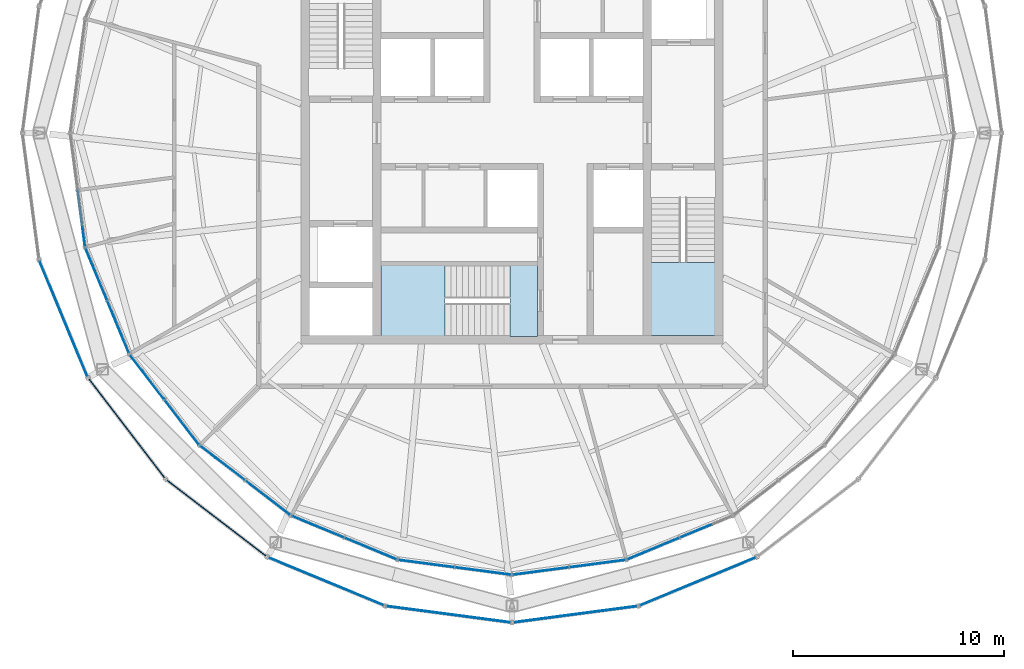
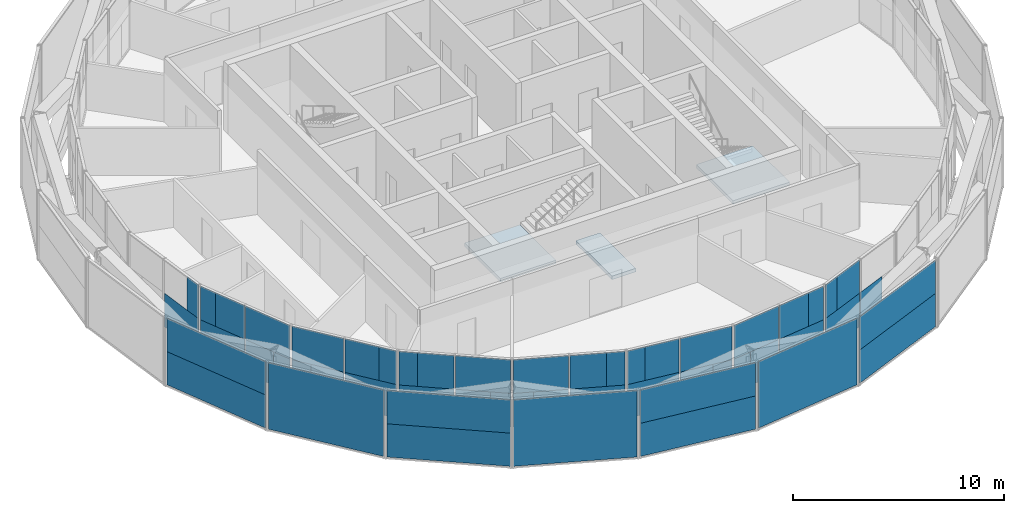
# One storey, part 10 of 17: 53 plates, 3 slabs, 17 elements without a shape of their own.
"""IFC4 building model written with IfcOpenShell, lengths in metres."""

from ifc_helpers import new_model, si_unit, direction, frame, origin, origin_2d, place, context, subcontext, project, spatial, polyline, rectangle, outline, extrude, material, layer, layer_set, type_object, element, aggregate, save


model = new_model("IFC4")

# Units and contexts
model_context = context("Model", 3, precision=1e-05, world=origin(), true_north=direction((0.0, 1.0)))
body_context = subcontext(model_context, "Body", "Model", "MODEL_VIEW")
ifc_project = project(units=[si_unit("LENGTHUNIT", "METRE"), si_unit("AREAUNIT", "SQUARE_METRE"), si_unit("VOLUMEUNIT", "CUBIC_METRE"), si_unit("PLANEANGLEUNIT", "RADIAN"), si_unit("MASSUNIT", "GRAM", prefix="KILO")], contexts=[model_context])

# Site, building, storey
site_placement = place(None, origin())
site = spatial("IfcSite", under=ifc_project, at=site_placement, CompositionType="ELEMENT")
building_placement = place(site_placement, origin())
building = spatial("IfcBuilding", under=site, at=building_placement, Name="Golbaran Civic Tower", CompositionType="ELEMENT")
storey_placement = place(building_placement, frame((0.0, 0.0, 280.0)))
storey = spatial("IfcBuildingStorey", under=building, at=storey_placement, Name="L68", CompositionType="ELEMENT", Elevation=280.0)

# Curtain wall, plate
ifc_material_1 = material(Name="Aluminium and glass", Category="aluminium")
curtain_wall_type_1 = type_object("IfcCurtainWallType", Name="INNER SKIN CURTAIN WALL EXECUTIVE", PredefinedType="NOTDEFINED", material=ifc_material_1)
curtain_wall_1_placement = place(storey_placement, origin())
curtain_wall_1 = element("IfcCurtainWall", 1, at=curtain_wall_1_placement, inside=storey, type_object=curtain_wall_type_1, Name="Inner skin L68 facet 13 CW2", ObjectType="INNER SKIN", PredefinedType="USERDEFINED")
ifc_material_2 = material(Name="Clear insulating glass", Category="glass")
ifc_layer_1 = layer(ifc_material_2, 0.031982421875, Name="Clear insulating glass")
ifc_layer_set_1 = layer_set([ifc_layer_1], Name="Clear insulating glass")
plate_type_1 = type_object("IfcPlateType", Name="INNER SKIN CURTAIN WALL EXECUTIVE GLAZED PANEL", PredefinedType="CURTAIN_PANEL", material=ifc_layer_set_1)
plate_1_placement = place(storey_placement, frame((-20.2900390625, -4.914306640625, 2.0), z_axis=(0.0, 0.0, 1.0), x_axis=(0.130526192237, -0.991444861372, 0.0)))
plate_1 = element("IfcPlate", 2, at=plate_1_placement, type_object=plate_type_1, Name="CW2 panel 2.1 part 3", PredefinedType="CURTAIN_PANEL", context=body_context, shape_type="SweptSolid", body=[
    extrude(rectangle(XDim=0.897705078125, YDim=0.031982421875, at=origin_2d()), origin(), (0.0, 0.0, 1.0), 1.93994140625),
])

# Curtain wall, plates
curtain_wall_2_placement = place(storey_placement, origin())
curtain_wall_2 = element("IfcCurtainWall", 3, at=curtain_wall_2_placement, inside=storey, type_object=curtain_wall_type_1, Name="Inner skin L68 facet 14 CW2", ObjectType="INNER SKIN", PredefinedType="USERDEFINED")
plate_2_placement = place(storey_placement, frame((-20.029052734375, -5.888671875, 2.0), z_axis=(0.0, 0.0, 1.0), x_axis=(0.382683432349, -0.923879532518, 0.0)))
plate_2 = element("IfcPlate", 4, at=plate_2_placement, type_object=plate_type_1, Name="CW2 panel 1.1 part 2", PredefinedType="CURTAIN_PANEL", context=body_context, shape_type="SweptSolid", body=[
    extrude(rectangle(XDim=0.89697265625, YDim=0.031982421875, at=origin_2d()), origin(), (0.0, 0.0, 1.0), 1.93994140625),
])
plate_3_placement = place(storey_placement, frame((-18.340576171875, -9.965087890625, 0.06005859375), z_axis=(0.0, 0.0, 1.0), x_axis=(0.382683432349, -0.923879532518, 0.0)))
plate_3 = element("IfcPlate", 5, at=plate_3_placement, type_object=plate_type_1, Name="CW2 panel 2.1 part 2", PredefinedType="CURTAIN_PANEL", context=body_context, shape_type="SweptSolid", body=[
    extrude(rectangle(XDim=0.9697265625, YDim=0.031982421875, at=origin_2d()), origin(), (0.0, 0.0, 1.0), 1.93994140625),
])

curtain_wall_3_placement = place(storey_placement, origin())
curtain_wall_3 = element("IfcCurtainWall", 6, at=curtain_wall_3_placement, inside=storey, type_object=curtain_wall_type_1, Name="Inner skin L68 facet 15 CW2", ObjectType="INNER SKIN", PredefinedType="USERDEFINED")
plate_4_placement = place(storey_placement, frame((-17.80029296875, -10.90087890625, 0.06005859375), z_axis=(0.0, 0.0, 1.0), x_axis=(0.608761428939, -0.793353340344, 0.0)))
plate_4 = element("IfcPlate", 7, at=plate_4_placement, type_object=plate_type_1, Name="CW2 panel 1.1 part 1", PredefinedType="CURTAIN_PANEL", context=body_context, shape_type="SweptSolid", body=[
    extrude(rectangle(XDim=0.969970703125, YDim=0.031982421875, at=origin_2d()), origin(), (0.0, 0.0, 1.0), 1.93994140625),
])
plate_5_placement = place(storey_placement, frame((-15.114501953125, -14.40087890625, 2.0), z_axis=(0.0, 0.0, 1.0), x_axis=(0.608761428939, -0.793353340344, 0.0)))
plate_5 = element("IfcPlate", 8, at=plate_5_placement, type_object=plate_type_1, Name="CW2 panel 2.1 part 3", PredefinedType="CURTAIN_PANEL", context=body_context, shape_type="SweptSolid", body=[
    extrude(rectangle(XDim=0.897705078125, YDim=0.031982421875, at=origin_2d()), origin(), (0.0, 0.0, 1.0), 1.93994140625),
])

curtain_wall_4_placement = place(storey_placement, origin())
curtain_wall_4 = element("IfcCurtainWall", 9, at=curtain_wall_4_placement, inside=storey, type_object=curtain_wall_type_1, Name="Inner skin L68 facet 16 CW2", ObjectType="INNER SKIN", PredefinedType="USERDEFINED")
plate_6_placement = place(storey_placement, frame((-14.4013671875, -15.1142578125, 2.0), z_axis=(0.0, 0.0, 1.0), x_axis=(0.793353340344, -0.608761428939, 0.0)))
plate_6 = element("IfcPlate", 10, at=plate_6_placement, type_object=plate_type_1, Name="CW2 panel 1.1 part 2", PredefinedType="CURTAIN_PANEL", context=body_context, shape_type="SweptSolid", body=[
    extrude(rectangle(XDim=0.89697265625, YDim=0.031982421875, at=origin_2d()), origin(), (0.0, 0.0, 1.0), 1.93994140625),
])
plate_7_placement = place(storey_placement, frame((-10.90087890625, -17.80029296875, 0.06005859375), z_axis=(0.0, 0.0, 1.0), x_axis=(0.793353340344, -0.608761428939, 0.0)))
plate_7 = element("IfcPlate", 11, at=plate_7_placement, type_object=plate_type_1, Name="CW2 panel 2.1 part 2", PredefinedType="CURTAIN_PANEL", context=body_context, shape_type="SweptSolid", body=[
    extrude(rectangle(XDim=0.9697265625, YDim=0.031982421875, at=origin_2d()), origin(), (0.0, 0.0, 1.0), 1.93994140625),
])

curtain_wall_5_placement = place(storey_placement, origin())
curtain_wall_5 = element("IfcCurtainWall", 12, at=curtain_wall_5_placement, inside=storey, type_object=curtain_wall_type_1, Name="Inner skin L68 facet 17 CW2", ObjectType="INNER SKIN", PredefinedType="USERDEFINED")
plate_8_placement = place(storey_placement, frame((-9.965087890625, -18.340576171875, 0.06005859375), z_axis=(0.0, 0.0, 1.0), x_axis=(0.923879532518, -0.382683432349, 0.0)))
plate_8 = element("IfcPlate", 13, at=plate_8_placement, type_object=plate_type_1, Name="CW2 panel 1.1 part 1", PredefinedType="CURTAIN_PANEL", context=body_context, shape_type="SweptSolid", body=[
    extrude(rectangle(XDim=0.969970703125, YDim=0.031982421875, at=origin_2d()), origin(), (0.0, 0.0, 1.0), 1.93994140625),
])
plate_9_placement = place(storey_placement, frame((-5.88916015625, -20.02880859375, 2.0), z_axis=(0.0, 0.0, 1.0), x_axis=(0.923879532518, -0.382683432349, 0.0)))
plate_9 = element("IfcPlate", 14, at=plate_9_placement, type_object=plate_type_1, Name="CW2 panel 2.1 part 3", PredefinedType="CURTAIN_PANEL", context=body_context, shape_type="SweptSolid", body=[
    extrude(rectangle(XDim=0.897705078125, YDim=0.031982421875, at=origin_2d()), origin(), (0.0, 0.0, 1.0), 1.93994140625),
])

curtain_wall_6_placement = place(storey_placement, origin())
curtain_wall_6 = element("IfcCurtainWall", 15, at=curtain_wall_6_placement, inside=storey, type_object=curtain_wall_type_1, Name="Inner skin L68 facet 18 CW2", ObjectType="INNER SKIN", PredefinedType="USERDEFINED")
plate_10_placement = place(storey_placement, frame((-4.914794921875, -20.2900390625, 2.0), z_axis=(0.0, 0.0, 1.0), x_axis=(0.991444861372, -0.130526192237, 0.0)))
plate_10 = element("IfcPlate", 16, at=plate_10_placement, type_object=plate_type_1, Name="CW2 panel 1.1 part 2", PredefinedType="CURTAIN_PANEL", context=body_context, shape_type="SweptSolid", body=[
    extrude(rectangle(XDim=0.89697265625, YDim=0.031982421875, at=origin_2d()), origin(), (0.0, 0.0, 1.0), 1.93994140625),
])
plate_11_placement = place(storey_placement, frame((-0.540283203125, -20.865966796875, 0.06005859375), z_axis=(0.0, 0.0, 1.0), x_axis=(0.991444861372, -0.130526192237, 0.0)))
plate_11 = element("IfcPlate", 17, at=plate_11_placement, type_object=plate_type_1, Name="CW2 panel 2.1 part 2", PredefinedType="CURTAIN_PANEL", context=body_context, shape_type="SweptSolid", body=[
    extrude(rectangle(XDim=0.9697265625, YDim=0.031982421875, at=origin_2d()), origin(), (0.0, 0.0, 1.0), 1.93994140625),
])

curtain_wall_7_placement = place(storey_placement, origin())
curtain_wall_7 = element("IfcCurtainWall", 18, at=curtain_wall_7_placement, inside=storey, type_object=curtain_wall_type_1, Name="Inner skin L68 facet 19 CW2", ObjectType="INNER SKIN", PredefinedType="USERDEFINED")
plate_12_placement = place(storey_placement, frame((0.540283203125, -20.865966796875, 0.06005859375), z_axis=(0.0, 0.0, 1.0), x_axis=(0.991444861372, 0.130526192237, 0.0)))
plate_12 = element("IfcPlate", 19, at=plate_12_placement, type_object=plate_type_1, Name="CW2 panel 1.1 part 1", PredefinedType="CURTAIN_PANEL", context=body_context, shape_type="SweptSolid", body=[
    extrude(rectangle(XDim=0.969970703125, YDim=0.031982421875, at=origin_2d()), origin(), (0.0, 0.0, 1.0), 1.93994140625),
])
plate_13_placement = place(storey_placement, frame((4.914306640625, -20.2900390625, 2.0), z_axis=(0.0, 0.0, 1.0), x_axis=(0.991444861372, 0.130526192237, 0.0)))
plate_13 = element("IfcPlate", 20, at=plate_13_placement, type_object=plate_type_1, Name="CW2 panel 2.1 part 3", PredefinedType="CURTAIN_PANEL", context=body_context, shape_type="SweptSolid", body=[
    extrude(rectangle(XDim=0.897705078125, YDim=0.031982421875, at=origin_2d()), origin(), (0.0, 0.0, 1.0), 1.93994140625),
])

# Curtain wall, plate
curtain_wall_8_placement = place(storey_placement, origin())
curtain_wall_8 = element("IfcCurtainWall", 21, at=curtain_wall_8_placement, inside=storey, type_object=curtain_wall_type_1, Name="Inner skin L68 facet 20 CW2", ObjectType="INNER SKIN", PredefinedType="USERDEFINED")
plate_14_placement = place(storey_placement, frame((5.888671875, -20.029052734375, 2.0), z_axis=(0.0, 0.0, 1.0), x_axis=(0.923879532518, 0.382683432349, 0.0)))
plate_14 = element("IfcPlate", 22, at=plate_14_placement, type_object=plate_type_1, Name="CW2 panel 1.1 part 2", PredefinedType="CURTAIN_PANEL", context=body_context, shape_type="SweptSolid", body=[
    extrude(rectangle(XDim=0.89697265625, YDim=0.031982421875, at=origin_2d()), origin(), (0.0, 0.0, 1.0), 1.93994140625),
])

# Plate
ifc_material_3 = material(Name="Aluminium faced opaque infill panel", Category="aluminium")
ifc_layer_2 = layer(ifc_material_3, 0.031982421875, Name="Aluminium faced opaque infill panel")
ifc_layer_set_2 = layer_set([ifc_layer_2], Name="Aluminium faced opaque infill panel")
plate_type_2 = type_object("IfcPlateType", Name="INNER SKIN CURTAIN WALL EXECUTIVE OPAQUE INFILL PANEL", PredefinedType="CURTAIN_PANEL", material=ifc_layer_set_2)
plate_15_placement = place(storey_placement, frame((-20.40380859375, -4.04931640625, 0.06005859375), z_axis=(0.0, 0.0, 1.0), x_axis=(0.130526192237, -0.991444861372, 0.0)))
plate_15 = element("IfcPlate", 23, at=plate_15_placement, type_object=plate_type_2, Name="CW2 infill panel 2.1 part 1", PredefinedType="CURTAIN_PANEL", context=body_context, shape_type="SweptSolid", body=[
    extrude(rectangle(XDim=2.642822265625, YDim=0.031982421875, at=origin_2d()), origin(), (0.0, 0.0, 1.0), 1.93994140625),
])

aggregate(curtain_wall_1, [plate_15, plate_1])

plate_16_placement = place(storey_placement, frame((-19.69482421875, -6.695068359375, 0.06005859375), z_axis=(0.0, 0.0, 1.0), x_axis=(0.382683432349, -0.923879532518, 0.0)))
plate_16 = element("IfcPlate", 24, at=plate_16_placement, type_object=plate_type_2, Name="CW2 infill panel 1.1 part 1", PredefinedType="CURTAIN_PANEL", context=body_context, shape_type="SweptSolid", body=[
    extrude(rectangle(XDim=2.642822265625, YDim=0.031982421875, at=origin_2d()), origin(), (0.0, 0.0, 1.0), 1.93994140625),
])

plate_17_placement = place(storey_placement, frame((-19.523193359375, -7.109619140625, 2.0), z_axis=(0.0, 0.0, 1.0), x_axis=(0.382683432349, -0.923879532518, 0.0)))
plate_17 = element("IfcPlate", 25, at=plate_17_placement, type_object=plate_type_2, Name="CW2 infill panel 1.1 part 3", PredefinedType="CURTAIN_PANEL", context=body_context, shape_type="SweptSolid", body=[
    extrude(rectangle(XDim=1.745849609375, YDim=0.031982421875, at=origin_2d()), origin(), (0.0, 0.0, 1.0), 1.93994140625),
])

plate_18_placement = place(storey_placement, frame((-18.84619140625, -8.744140625, 0.06005859375), z_axis=(0.0, 0.0, 1.0), x_axis=(0.382683432349, -0.923879532518, 0.0)))
plate_18 = element("IfcPlate", 26, at=plate_18_placement, type_object=plate_type_2, Name="CW2 infill panel 2.1 part 1", PredefinedType="CURTAIN_PANEL", context=body_context, shape_type="SweptSolid", body=[
    extrude(rectangle(XDim=1.673095703125, YDim=0.031982421875, at=origin_2d()), origin(), (0.0, 0.0, 1.0), 1.93994140625),
])

plate_19_placement = place(storey_placement, frame((-18.66064453125, -9.192138671875, 2.0), z_axis=(0.0, 0.0, 1.0), x_axis=(0.382683432349, -0.923879532518, 0.0)))
plate_19 = element("IfcPlate", 27, at=plate_19_placement, type_object=plate_type_2, Name="CW2 infill panel 2.1 part 3", PredefinedType="CURTAIN_PANEL", context=body_context, shape_type="SweptSolid", body=[
    extrude(rectangle(XDim=2.642822265625, YDim=0.031982421875, at=origin_2d()), origin(), (0.0, 0.0, 1.0), 1.93994140625),
])

aggregate(curtain_wall_2, [plate_16, plate_2, plate_17, plate_18, plate_3, plate_19])

plate_20_placement = place(storey_placement, frame((-16.995849609375, -11.94921875, 0.06005859375), z_axis=(0.0, 0.0, 1.0), x_axis=(0.608761428939, -0.793353340344, 0.0)))
plate_20 = element("IfcPlate", 28, at=plate_20_placement, type_object=plate_type_2, Name="CW2 infill panel 1.1 part 2", PredefinedType="CURTAIN_PANEL", context=body_context, shape_type="SweptSolid", body=[
    extrude(rectangle(XDim=1.6728515625, YDim=0.031982421875, at=origin_2d()), origin(), (0.0, 0.0, 1.0), 1.93994140625),
])

plate_21_placement = place(storey_placement, frame((-17.291015625, -11.564453125, 2.0), z_axis=(0.0, 0.0, 1.0), x_axis=(0.608761428939, -0.793353340344, 0.0)))
plate_21 = element("IfcPlate", 29, at=plate_21_placement, type_object=plate_type_2, Name="CW2 infill panel 1.1 part 3", PredefinedType="CURTAIN_PANEL", context=body_context, shape_type="SweptSolid", body=[
    extrude(rectangle(XDim=2.642822265625, YDim=0.031982421875, at=origin_2d()), origin(), (0.0, 0.0, 1.0), 1.93994140625),
])

plate_22_placement = place(storey_placement, frame((-15.645751953125, -13.708740234375, 0.06005859375), z_axis=(0.0, 0.0, 1.0), x_axis=(0.608761428939, -0.793353340344, 0.0)))
plate_22 = element("IfcPlate", 30, at=plate_22_placement, type_object=plate_type_2, Name="CW2 infill panel 2.1 part 1", PredefinedType="CURTAIN_PANEL", context=body_context, shape_type="SweptSolid", body=[
    extrude(rectangle(XDim=2.642822265625, YDim=0.031982421875, at=origin_2d()), origin(), (0.0, 0.0, 1.0), 1.93994140625),
])

plate_23_placement = place(storey_placement, frame((-15.9189453125, -13.3525390625, 2.0), z_axis=(0.0, 0.0, 1.0), x_axis=(0.608761428939, -0.793353340344, 0.0)))
plate_23 = element("IfcPlate", 31, at=plate_23_placement, type_object=plate_type_2, Name="CW2 infill panel 2.1 part 2", PredefinedType="CURTAIN_PANEL", context=body_context, shape_type="SweptSolid", body=[
    extrude(rectangle(XDim=1.7451171875, YDim=0.031982421875, at=origin_2d()), origin(), (0.0, 0.0, 1.0), 1.93994140625),
])

aggregate(curtain_wall_3, [plate_4, plate_20, plate_21, plate_22, plate_23, plate_5])

plate_24_placement = place(storey_placement, frame((-13.708740234375, -15.645751953125, 0.06005859375), z_axis=(0.0, 0.0, 1.0), x_axis=(0.793353340344, -0.608761428939, 0.0)))
plate_24 = element("IfcPlate", 32, at=plate_24_placement, type_object=plate_type_2, Name="CW2 infill panel 1.1 part 1", PredefinedType="CURTAIN_PANEL", context=body_context, shape_type="SweptSolid", body=[
    extrude(rectangle(XDim=2.642822265625, YDim=0.031982421875, at=origin_2d()), origin(), (0.0, 0.0, 1.0), 1.93994140625),
])

plate_25_placement = place(storey_placement, frame((-13.35302734375, -15.918701171875, 2.0), z_axis=(0.0, 0.0, 1.0), x_axis=(0.793353340344, -0.608761428939, 0.0)))
plate_25 = element("IfcPlate", 33, at=plate_25_placement, type_object=plate_type_2, Name="CW2 infill panel 1.1 part 3", PredefinedType="CURTAIN_PANEL", context=body_context, shape_type="SweptSolid", body=[
    extrude(rectangle(XDim=1.745849609375, YDim=0.031982421875, at=origin_2d()), origin(), (0.0, 0.0, 1.0), 1.93994140625),
])

plate_26_placement = place(storey_placement, frame((-11.94921875, -16.995849609375, 0.06005859375), z_axis=(0.0, 0.0, 1.0), x_axis=(0.793353340344, -0.608761428939, 0.0)))
plate_26 = element("IfcPlate", 34, at=plate_26_placement, type_object=plate_type_2, Name="CW2 infill panel 2.1 part 1", PredefinedType="CURTAIN_PANEL", context=body_context, shape_type="SweptSolid", body=[
    extrude(rectangle(XDim=1.673095703125, YDim=0.031982421875, at=origin_2d()), origin(), (0.0, 0.0, 1.0), 1.93994140625),
])

plate_27_placement = place(storey_placement, frame((-11.564453125, -17.291015625, 2.0), z_axis=(0.0, 0.0, 1.0), x_axis=(0.793353340344, -0.608761428939, 0.0)))
plate_27 = element("IfcPlate", 35, at=plate_27_placement, type_object=plate_type_2, Name="CW2 infill panel 2.1 part 3", PredefinedType="CURTAIN_PANEL", context=body_context, shape_type="SweptSolid", body=[
    extrude(rectangle(XDim=2.642822265625, YDim=0.031982421875, at=origin_2d()), origin(), (0.0, 0.0, 1.0), 1.93994140625),
])

aggregate(curtain_wall_4, [plate_24, plate_6, plate_25, plate_26, plate_7, plate_27])

plate_28_placement = place(storey_placement, frame((-8.744140625, -18.84619140625, 0.06005859375), z_axis=(0.0, 0.0, 1.0), x_axis=(0.923879532518, -0.382683432349, 0.0)))
plate_28 = element("IfcPlate", 36, at=plate_28_placement, type_object=plate_type_2, Name="CW2 infill panel 1.1 part 2", PredefinedType="CURTAIN_PANEL", context=body_context, shape_type="SweptSolid", body=[
    extrude(rectangle(XDim=1.6728515625, YDim=0.031982421875, at=origin_2d()), origin(), (0.0, 0.0, 1.0), 1.93994140625),
])

plate_29_placement = place(storey_placement, frame((-9.192138671875, -18.66064453125, 2.0), z_axis=(0.0, 0.0, 1.0), x_axis=(0.923879532518, -0.382683432349, 0.0)))
plate_29 = element("IfcPlate", 37, at=plate_29_placement, type_object=plate_type_2, Name="CW2 infill panel 1.1 part 3", PredefinedType="CURTAIN_PANEL", context=body_context, shape_type="SweptSolid", body=[
    extrude(rectangle(XDim=2.642822265625, YDim=0.031982421875, at=origin_2d()), origin(), (0.0, 0.0, 1.0), 1.93994140625),
])

plate_30_placement = place(storey_placement, frame((-6.695068359375, -19.69482421875, 0.06005859375), z_axis=(0.0, 0.0, 1.0), x_axis=(0.923879532518, -0.382683432349, 0.0)))
plate_30 = element("IfcPlate", 38, at=plate_30_placement, type_object=plate_type_2, Name="CW2 infill panel 2.1 part 1", PredefinedType="CURTAIN_PANEL", context=body_context, shape_type="SweptSolid", body=[
    extrude(rectangle(XDim=2.642822265625, YDim=0.031982421875, at=origin_2d()), origin(), (0.0, 0.0, 1.0), 1.93994140625),
])

plate_31_placement = place(storey_placement, frame((-7.10986328125, -19.523193359375, 2.0), z_axis=(0.0, 0.0, 1.0), x_axis=(0.923879532518, -0.382683432349, 0.0)))
plate_31 = element("IfcPlate", 39, at=plate_31_placement, type_object=plate_type_2, Name="CW2 infill panel 2.1 part 2", PredefinedType="CURTAIN_PANEL", context=body_context, shape_type="SweptSolid", body=[
    extrude(rectangle(XDim=1.7451171875, YDim=0.031982421875, at=origin_2d()), origin(), (0.0, 0.0, 1.0), 1.93994140625),
])

aggregate(curtain_wall_5, [plate_8, plate_28, plate_29, plate_30, plate_31, plate_9])

plate_32_placement = place(storey_placement, frame((-4.04931640625, -20.40380859375, 0.06005859375), z_axis=(0.0, 0.0, 1.0), x_axis=(0.991444861372, -0.130526192237, 0.0)))
plate_32 = element("IfcPlate", 40, at=plate_32_placement, type_object=plate_type_2, Name="CW2 infill panel 1.1 part 1", PredefinedType="CURTAIN_PANEL", context=body_context, shape_type="SweptSolid", body=[
    extrude(rectangle(XDim=2.642822265625, YDim=0.031982421875, at=origin_2d()), origin(), (0.0, 0.0, 1.0), 1.93994140625),
])

plate_33_placement = place(storey_placement, frame((-3.604736328125, -20.46240234375, 2.0), z_axis=(0.0, 0.0, 1.0), x_axis=(0.991444861372, -0.130526192237, 0.0)))
plate_33 = element("IfcPlate", 41, at=plate_33_placement, type_object=plate_type_2, Name="CW2 infill panel 1.1 part 3", PredefinedType="CURTAIN_PANEL", context=body_context, shape_type="SweptSolid", body=[
    extrude(rectangle(XDim=1.745849609375, YDim=0.031982421875, at=origin_2d()), origin(), (0.0, 0.0, 1.0), 1.93994140625),
])

plate_34_placement = place(storey_placement, frame((-1.850341796875, -20.693359375, 0.06005859375), z_axis=(0.0, 0.0, 1.0), x_axis=(0.991444861372, -0.130526192237, 0.0)))
plate_34 = element("IfcPlate", 42, at=plate_34_placement, type_object=plate_type_2, Name="CW2 infill panel 2.1 part 1", PredefinedType="CURTAIN_PANEL", context=body_context, shape_type="SweptSolid", body=[
    extrude(rectangle(XDim=1.673095703125, YDim=0.031982421875, at=origin_2d()), origin(), (0.0, 0.0, 1.0), 1.93994140625),
])

plate_35_placement = place(storey_placement, frame((-1.36962890625, -20.756591796875, 2.0), z_axis=(0.0, 0.0, 1.0), x_axis=(0.991444861372, -0.130526192237, 0.0)))
plate_35 = element("IfcPlate", 43, at=plate_35_placement, type_object=plate_type_2, Name="CW2 infill panel 2.1 part 3", PredefinedType="CURTAIN_PANEL", context=body_context, shape_type="SweptSolid", body=[
    extrude(rectangle(XDim=2.642822265625, YDim=0.031982421875, at=origin_2d()), origin(), (0.0, 0.0, 1.0), 1.93994140625),
])

aggregate(curtain_wall_6, [plate_32, plate_10, plate_33, plate_34, plate_11, plate_35])

plate_36_placement = place(storey_placement, frame((1.850341796875, -20.693359375, 0.06005859375), z_axis=(0.0, 0.0, 1.0), x_axis=(0.991444861372, 0.130526192237, 0.0)))
plate_36 = element("IfcPlate", 44, at=plate_36_placement, type_object=plate_type_2, Name="CW2 infill panel 1.1 part 2", PredefinedType="CURTAIN_PANEL", context=body_context, shape_type="SweptSolid", body=[
    extrude(rectangle(XDim=1.6728515625, YDim=0.031982421875, at=origin_2d()), origin(), (0.0, 0.0, 1.0), 1.93994140625),
])

plate_37_placement = place(storey_placement, frame((1.36962890625, -20.756591796875, 2.0), z_axis=(0.0, 0.0, 1.0), x_axis=(0.991444861372, 0.130526192237, 0.0)))
plate_37 = element("IfcPlate", 45, at=plate_37_placement, type_object=plate_type_2, Name="CW2 infill panel 1.1 part 3", PredefinedType="CURTAIN_PANEL", context=body_context, shape_type="SweptSolid", body=[
    extrude(rectangle(XDim=2.642822265625, YDim=0.031982421875, at=origin_2d()), origin(), (0.0, 0.0, 1.0), 1.93994140625),
])

plate_38_placement = place(storey_placement, frame((4.04931640625, -20.40380859375, 0.06005859375), z_axis=(0.0, 0.0, 1.0), x_axis=(0.991444861372, 0.130526192237, 0.0)))
plate_38 = element("IfcPlate", 46, at=plate_38_placement, type_object=plate_type_2, Name="CW2 infill panel 2.1 part 1", PredefinedType="CURTAIN_PANEL", context=body_context, shape_type="SweptSolid", body=[
    extrude(rectangle(XDim=2.642822265625, YDim=0.031982421875, at=origin_2d()), origin(), (0.0, 0.0, 1.0), 1.93994140625),
])

plate_39_placement = place(storey_placement, frame((3.604248046875, -20.46240234375, 2.0), z_axis=(0.0, 0.0, 1.0), x_axis=(0.991444861372, 0.130526192237, 0.0)))
plate_39 = element("IfcPlate", 47, at=plate_39_placement, type_object=plate_type_2, Name="CW2 infill panel 2.1 part 2", PredefinedType="CURTAIN_PANEL", context=body_context, shape_type="SweptSolid", body=[
    extrude(rectangle(XDim=1.7451171875, YDim=0.031982421875, at=origin_2d()), origin(), (0.0, 0.0, 1.0), 1.93994140625),
])

aggregate(curtain_wall_7, [plate_12, plate_36, plate_37, plate_38, plate_39, plate_13])

plate_40_placement = place(storey_placement, frame((6.695068359375, -19.69482421875, 0.06005859375), z_axis=(0.0, 0.0, 1.0), x_axis=(0.923879532518, 0.382683432349, 0.0)))
plate_40 = element("IfcPlate", 48, at=plate_40_placement, type_object=plate_type_2, Name="CW2 infill panel 1.1 part 1", PredefinedType="CURTAIN_PANEL", context=body_context, shape_type="SweptSolid", body=[
    extrude(rectangle(XDim=2.642822265625, YDim=0.031982421875, at=origin_2d()), origin(), (0.0, 0.0, 1.0), 1.93994140625),
])

plate_41_placement = place(storey_placement, frame((7.109619140625, -19.523193359375, 2.0), z_axis=(0.0, 0.0, 1.0), x_axis=(0.923879532518, 0.382683432349, 0.0)))
plate_41 = element("IfcPlate", 49, at=plate_41_placement, type_object=plate_type_2, Name="CW2 infill panel 1.1 part 3", PredefinedType="CURTAIN_PANEL", context=body_context, shape_type="SweptSolid", body=[
    extrude(rectangle(XDim=1.745849609375, YDim=0.031982421875, at=origin_2d()), origin(), (0.0, 0.0, 1.0), 1.93994140625),
])

plate_42_placement = place(storey_placement, frame((8.744140625, -18.84619140625, 0.06005859375), z_axis=(0.0, 0.0, 1.0), x_axis=(0.923879532518, 0.382683432349, 0.0)))
plate_42 = element("IfcPlate", 50, at=plate_42_placement, type_object=plate_type_2, Name="CW2 infill panel 2.1 part 1", PredefinedType="CURTAIN_PANEL", context=body_context, shape_type="SweptSolid", body=[
    extrude(rectangle(XDim=1.673095703125, YDim=0.031982421875, at=origin_2d()), origin(), (0.0, 0.0, 1.0), 1.93994140625),
])

aggregate(curtain_wall_8, [plate_40, plate_14, plate_41, plate_42])

# Curtain wall, plates
curtain_wall_type_2 = type_object("IfcCurtainWallType", Name="OUTER SKIN TERRACOTTA SCREEN", PredefinedType="NOTDEFINED", material=ifc_material_1)
curtain_wall_9_placement = place(storey_placement, origin())
curtain_wall_9 = element("IfcCurtainWall", 51, at=curtain_wall_9_placement, inside=storey, type_object=curtain_wall_type_2, Name="Outer skin L68 facet 14 CW3", ObjectType="OUTER SKIN", PredefinedType="USERDEFINED")
ifc_material_4 = material(Name="Terracotta baguette screen", Category="masonry")
ifc_layer_3 = layer(ifc_material_4, 0.0400390625, Name="Terracotta baguette screen")
ifc_layer_set_3 = layer_set([ifc_layer_3], Name="Terracotta baguette screen")
plate_type_3 = type_object("IfcPlateType", Name="OUTER SKIN TERRACOTTA INFILL PANEL", PredefinedType="CURTAIN_PANEL", material=ifc_layer_set_3)
plate_43_placement = place(storey_placement, frame((-21.250732421875, -8.80224609375, -0.6298828125), z_axis=(0.0, 0.0, 1.0), x_axis=(0.382683432333, -0.923879532525, 0.0)))
plate_43 = element("IfcPlate", 52, at=plate_43_placement, type_object=plate_type_3, Name="CW3 infill panel 1.1 part 1", PredefinedType="CURTAIN_PANEL", context=body_context, shape_type="SweptSolid", body=[
    extrude(rectangle(XDim=5.896484375, YDim=0.0400390625, at=origin_2d()), origin(), (0.0, 0.0, 1.0), 1.919921875),
])
plate_44_placement = place(storey_placement, frame((-21.250732421875, -8.80224609375, 1.2900390625), z_axis=(0.0, 0.0, 1.0), x_axis=(0.382683432333, -0.923879532525, 0.0)))
plate_44 = element("IfcPlate", 53, at=plate_44_placement, type_object=plate_type_3, Name="CW3 infill panel 1.1 part 2", PredefinedType="CURTAIN_PANEL", context=body_context, shape_type="SweptSolid", body=[
    extrude(rectangle(XDim=5.896484375, YDim=0.0400390625, at=origin_2d()), origin(), (0.0, 0.0, 1.0), 1.919921875),
])
aggregate(curtain_wall_9, [plate_43, plate_44])

curtain_wall_10_placement = place(storey_placement, origin())
curtain_wall_10 = element("IfcCurtainWall", 54, at=curtain_wall_10_placement, inside=storey, type_object=curtain_wall_type_2, Name="Outer skin L68 facet 16 CW3", ObjectType="OUTER SKIN", PredefinedType="USERDEFINED")
plate_45_placement = place(storey_placement, frame((-14.00244140625, -18.248291015625, -0.6298828125), z_axis=(0.0, 0.0, 1.0), x_axis=(0.793353340344, -0.608761428939, 0.0)))
plate_45 = element("IfcPlate", 55, at=plate_45_placement, type_object=plate_type_3, Name="CW3 infill panel 1.1 part 1", PredefinedType="CURTAIN_PANEL", context=body_context, shape_type="SweptSolid", body=[
    extrude(rectangle(XDim=5.896484375, YDim=0.0400390625, at=origin_2d()), origin(), (0.0, 0.0, 1.0), 1.919921875),
])
plate_46_placement = place(storey_placement, frame((-14.00244140625, -18.248291015625, 1.2900390625), z_axis=(0.0, 0.0, 1.0), x_axis=(0.793353340344, -0.608761428939, 0.0)))
plate_46 = element("IfcPlate", 56, at=plate_46_placement, type_object=plate_type_3, Name="CW3 infill panel 1.1 part 2", PredefinedType="CURTAIN_PANEL", context=body_context, shape_type="SweptSolid", body=[
    extrude(rectangle(XDim=5.896484375, YDim=0.0400390625, at=origin_2d()), origin(), (0.0, 0.0, 1.0), 1.919921875),
])
aggregate(curtain_wall_10, [plate_45, plate_46])

curtain_wall_11_placement = place(storey_placement, origin())
curtain_wall_11 = element("IfcCurtainWall", 57, at=curtain_wall_11_placement, inside=storey, type_object=curtain_wall_type_2, Name="Outer skin L68 facet 18 CW3", ObjectType="OUTER SKIN", PredefinedType="USERDEFINED")
plate_47_placement = place(storey_placement, frame((-3.002197265625, -22.8046875, -0.6298828125), z_axis=(0.0, 0.0, 1.0), x_axis=(0.991444861374, -0.13052619222, 0.0)))
plate_47 = element("IfcPlate", 58, at=plate_47_placement, type_object=plate_type_3, Name="CW3 infill panel 1.1 part 1", PredefinedType="CURTAIN_PANEL", context=body_context, shape_type="SweptSolid", body=[
    extrude(rectangle(XDim=5.896484375, YDim=0.0400390625, at=origin_2d()), origin(), (0.0, 0.0, 1.0), 1.919921875),
])
plate_48_placement = place(storey_placement, frame((-3.002197265625, -22.8046875, 1.2900390625), z_axis=(0.0, 0.0, 1.0), x_axis=(0.991444861374, -0.13052619222, 0.0)))
plate_48 = element("IfcPlate", 59, at=plate_48_placement, type_object=plate_type_3, Name="CW3 infill panel 1.1 part 2", PredefinedType="CURTAIN_PANEL", context=body_context, shape_type="SweptSolid", body=[
    extrude(rectangle(XDim=5.896484375, YDim=0.0400390625, at=origin_2d()), origin(), (0.0, 0.0, 1.0), 1.919921875),
])
aggregate(curtain_wall_11, [plate_47, plate_48])

curtain_wall_12_placement = place(storey_placement, origin())
curtain_wall_12 = element("IfcCurtainWall", 60, at=curtain_wall_12_placement, inside=storey, type_object=curtain_wall_type_2, Name="Outer skin L68 facet 20 CW3", ObjectType="OUTER SKIN", PredefinedType="USERDEFINED")
plate_49_placement = place(storey_placement, frame((8.80224609375, -21.250732421875, -0.6298828125), z_axis=(0.0, 0.0, 1.0), x_axis=(0.923879532525, 0.382683432333, 0.0)))
plate_49 = element("IfcPlate", 61, at=plate_49_placement, type_object=plate_type_3, Name="CW3 infill panel 1.1 part 1", PredefinedType="CURTAIN_PANEL", context=body_context, shape_type="SweptSolid", body=[
    extrude(rectangle(XDim=5.896484375, YDim=0.0400390625, at=origin_2d()), origin(), (0.0, 0.0, 1.0), 1.919921875),
])
plate_50_placement = place(storey_placement, frame((8.80224609375, -21.250732421875, 1.2900390625), z_axis=(0.0, 0.0, 1.0), x_axis=(0.923879532525, 0.382683432333, 0.0)))
plate_50 = element("IfcPlate", 62, at=plate_50_placement, type_object=plate_type_3, Name="CW3 infill panel 1.1 part 2", PredefinedType="CURTAIN_PANEL", context=body_context, shape_type="SweptSolid", body=[
    extrude(rectangle(XDim=5.896484375, YDim=0.0400390625, at=origin_2d()), origin(), (0.0, 0.0, 1.0), 1.919921875),
])
aggregate(curtain_wall_12, [plate_49, plate_50])

# Curtain wall, plate
curtain_wall_13_placement = place(storey_placement, origin())
curtain_wall_13 = element("IfcCurtainWall", 63, at=curtain_wall_13_placement, inside=storey, type_object=curtain_wall_type_2, Name="Outer skin L68 facet 15 CW3", ObjectType="OUTER SKIN", PredefinedType="USERDEFINED")
ifc_layer_4 = layer(ifc_material_4, 0.0400390625, Name="Terracotta baguette screen")
ifc_layer_set_4 = layer_set([ifc_layer_4], Name="Terracotta baguette screen")
plate_type_4 = type_object("IfcPlateType", Name="OUTER SKIN TERRACOTTA SCREEN PANEL", PredefinedType="CURTAIN_PANEL", material=ifc_layer_set_4)
plate_51_placement = place(storey_placement, frame((-18.248291015625, -14.00244140625, -0.6298828125), z_axis=(0.0, 0.0, 1.0), x_axis=(0.608761428939, -0.793353340344, 0.0)))
plate_51 = element("IfcPlate", 64, at=plate_51_placement, type_object=plate_type_4, Name="CW3 terracotta screen panel 1.1", PredefinedType="CURTAIN_PANEL", context=body_context, shape_type="SweptSolid", body=[
    extrude(rectangle(XDim=5.896484375, YDim=0.0400390625, at=origin_2d()), origin(), (0.0, 0.0, 1.0), 3.840087890625),
])
aggregate(curtain_wall_13, [plate_51])

curtain_wall_14_placement = place(storey_placement, origin())
curtain_wall_14 = element("IfcCurtainWall", 65, at=curtain_wall_14_placement, inside=storey, type_object=curtain_wall_type_2, Name="Outer skin L68 facet 17 CW3", ObjectType="OUTER SKIN", PredefinedType="USERDEFINED")
plate_52_placement = place(storey_placement, frame((-8.80224609375, -21.250732421875, -0.6298828125), z_axis=(0.0, 0.0, 1.0), x_axis=(0.923879532525, -0.382683432333, 0.0)))
plate_52 = element("IfcPlate", 66, at=plate_52_placement, type_object=plate_type_4, Name="CW3 terracotta screen panel 1.1", PredefinedType="CURTAIN_PANEL", context=body_context, shape_type="SweptSolid", body=[
    extrude(rectangle(XDim=5.896484375, YDim=0.0400390625, at=origin_2d()), origin(), (0.0, 0.0, 1.0), 3.840087890625),
])
aggregate(curtain_wall_14, [plate_52])

curtain_wall_15_placement = place(storey_placement, origin())
curtain_wall_15 = element("IfcCurtainWall", 67, at=curtain_wall_15_placement, inside=storey, type_object=curtain_wall_type_2, Name="Outer skin L68 facet 19 CW3", ObjectType="OUTER SKIN", PredefinedType="USERDEFINED")
plate_53_placement = place(storey_placement, frame((3.002197265625, -22.8046875, -0.6298828125), z_axis=(0.0, 0.0, 1.0), x_axis=(0.991444861374, 0.13052619222, 0.0)))
plate_53 = element("IfcPlate", 68, at=plate_53_placement, type_object=plate_type_4, Name="CW3 terracotta screen panel 1.1", PredefinedType="CURTAIN_PANEL", context=body_context, shape_type="SweptSolid", body=[
    extrude(rectangle(XDim=5.896484375, YDim=0.0400390625, at=origin_2d()), origin(), (0.0, 0.0, 1.0), 3.840087890625),
])
aggregate(curtain_wall_15, [plate_53])

# Stair, slab
ifc_material_5 = material(Name="Concrete C35/45", Category="concrete")
stair_type_1 = type_object("IfcStairType", Name="EXIT STAIR 3000 x 7850, 4000 RISE", PredefinedType="HALF_TURN_STAIR", material=ifc_material_5)
stair_1_placement = place(storey_placement, origin())
stair_1 = element("IfcStair", 69, at=stair_1_placement, inside=storey, type_object=stair_type_1, Name="Stair S2 L68", PredefinedType="HALF_TURN_STAIR")
ifc_layer_5 = layer(ifc_material_5, 0.199951171875, Name="Concrete C35/45")
ifc_layer_set_5 = layer_set([ifc_layer_5], Name="Concrete C35/45")
slab_type = type_object("IfcSlabType", Name="STAIR LANDING 200", PredefinedType="LANDING", material=ifc_layer_set_5)
slab_1_placement = place(storey_placement, frame((0.0, 0.0, 1.800048828125)))
slab_1 = element("IfcSlab", 70, at=slab_1_placement, type_object=slab_type, Name="ST30078-40 landing 1", PredefinedType="LANDING", context=body_context, shape_type="SweptSolid", body=[
    extrude(outline(polyline([(9.64990234375, -6.125), (9.64990234375, -9.60009765625), (6.550048828125, -9.60009765625), (6.550048828125, -6.125), (9.64990234375, -6.125)])), origin(), (0.0, 0.0, 1.0), 0.199951171875),
])
aggregate(stair_1, [slab_1])

stair_type_2 = type_object("IfcStairType", Name="EXIT STAIR 3300 x 7400, 4000 RISE", PredefinedType="HALF_TURN_STAIR", material=ifc_material_5)
stair_2_placement = place(storey_placement, origin())
stair_2 = element("IfcStair", 71, at=stair_2_placement, inside=storey, type_object=stair_type_2, Name="Stair S3 L68", PredefinedType="HALF_TURN_STAIR")
slab_2_placement = place(storey_placement, frame((0.0, 0.0, 1.800048828125)))
slab_2 = element("IfcSlab", 72, at=slab_2_placement, type_object=slab_type, Name="ST33074-40 landing 1", PredefinedType="LANDING", context=body_context, shape_type="SweptSolid", body=[
    extrude(outline(polyline([(-3.175048828125, -9.64990234375), (-6.199951171875, -9.64990234375), (-6.199951171875, -6.25), (-3.175048828125, -6.25), (-3.175048828125, -9.64990234375)])), origin(), (0.0, 0.0, 1.0), 0.199951171875),
])
aggregate(stair_2, [slab_2])

# Slab
slab_3_placement = place(storey_placement, frame((0.0, 0.0, -0.199951171875)))
element("IfcSlab", 73, at=slab_3_placement, inside=storey, type_object=slab_type, Name="Stair S3 floor landing L68", PredefinedType="LANDING", context=body_context, shape_type="SweptSolid", body=[
    extrude(outline(polyline([(1.199951171875, -9.64990234375), (-0.10498046875, -9.64990234375), (-0.10498046875, -6.25), (1.199951171875, -6.25), (1.199951171875, -9.64990234375)])), origin(), (0.0, 0.0, 1.0), 0.199951171875),
])

save(model, "model.ifc")
